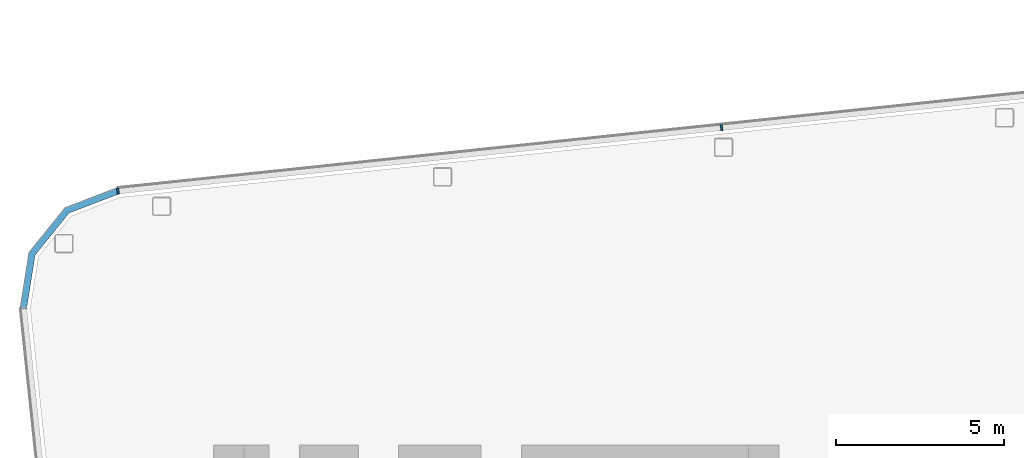
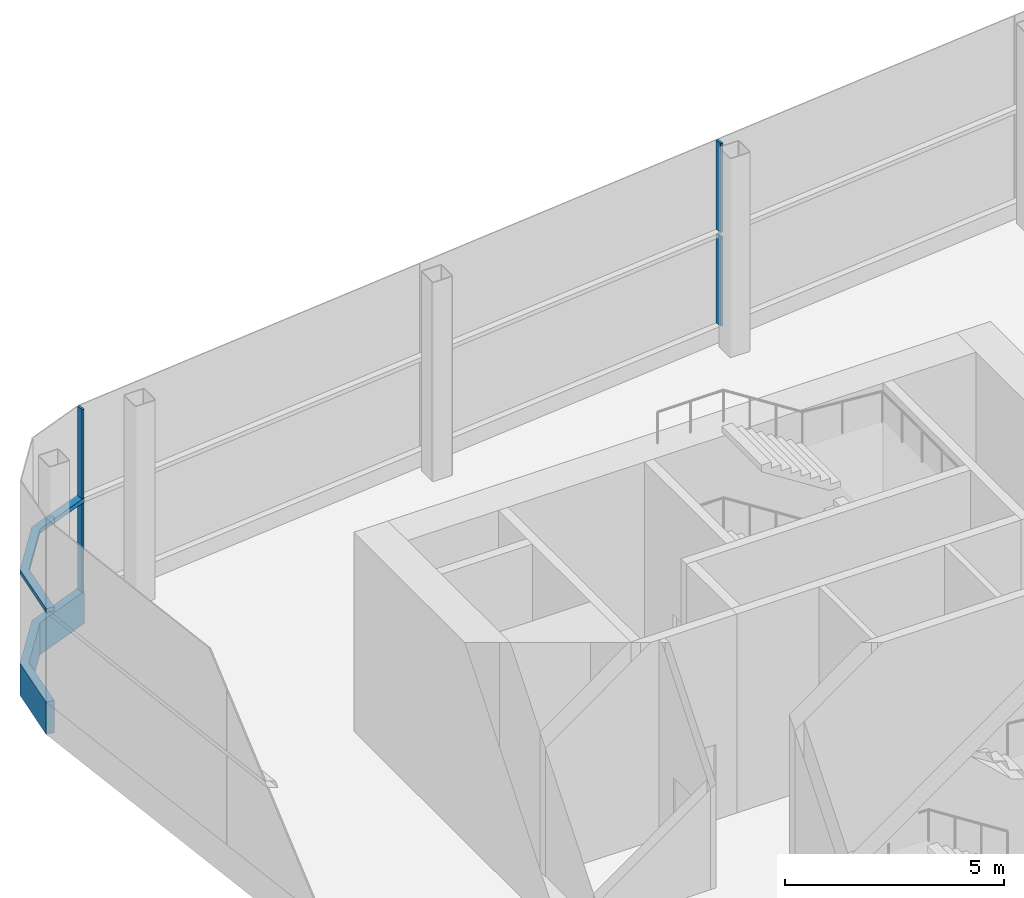
# One storey, part 8 of 35: 6 members, 2 elements without a shape of their own.
"""IFC4 building model written with IfcOpenShell, lengths in metres."""

import ifcopenshell
import ifcopenshell.guid

model = None  # the IFC model being written
_history = None  # IfcOwnerHistory: only IFC2X3 demands one
_inside = {}  # id of a spatial element -> (the spatial element, [elements in it])
_under = {}  # id of a project, library or spatial element -> (it, [spatial elements below it])
_declared = {}  # id of a project -> (the project, [libraries it declares])
_typed = {}  # id of a type object -> (the type object, [elements of that type])
_made_of = {}  # id of a material, layer set ... -> (it, [elements and type objects made of it])


def new_model(schema):
    """Start an empty IFC model of exactly this schema.

    Asked for "IFC4X3", IfcOpenShell would pick the latest addendum, in which some entities
    have other attributes; the version numbers below select the first issue.
    IFC2X3 requires an IfcOwnerHistory on every rooted entity: one is made here for all.
    """
    global model, _history
    if schema == "IFC4X3":
        model = ifcopenshell.file(schema_version=(4, 3, 0, 0))
    else:
        model = ifcopenshell.file(schema=schema)
    _inside.clear()
    _under.clear()
    _declared.clear()
    _typed.clear()
    _made_of.clear()
    _history = None
    if model.schema == "IFC2X3":
        org = make("IfcOrganization", Name="unknown")
        user = make(
            "IfcPersonAndOrganization",
            ThePerson=make("IfcPerson", FamilyName="unknown"),
            TheOrganization=org,
        )
        app = make(
            "IfcApplication",
            ApplicationDeveloper=org,
            Version="unknown",
            ApplicationFullName="unknown",
            ApplicationIdentifier="unknown",
        )
        _history = make(
            "IfcOwnerHistory",
            OwningUser=user,
            OwningApplication=app,
            ChangeAction="ADDED",
            CreationDate=0,
        )
    return model


def make(cls, **values):
    """One entity of the class cls with the attributes given. An attribute that is None is left unset."""
    return model.create_entity(
        cls, **{name: value for name, value in values.items() if value is not None}
    )


def rooted(cls, **values):
    """An entity with a GlobalId (a new one), such as an element, a storey or a relation."""
    return make(cls, GlobalId=ifcopenshell.guid.new(), OwnerHistory=_history, **values)


def si_unit(unit_type, name, prefix=None):
    """IfcSIUnit, for example si_unit("LENGTHUNIT", "METRE", prefix="MILLI")."""
    return make("IfcSIUnit", UnitType=unit_type, Prefix=prefix, Name=name)


def assignment(units):
    """IfcUnitAssignment: the units of a project."""
    return None if units is None else make("IfcUnitAssignment", Units=units)


def point(xyz):
    """IfcCartesianPoint."""
    return None if xyz is None else make("IfcCartesianPoint", Coordinates=xyz)


def direction(xyz):
    """IfcDirection."""
    return None if xyz is None else make("IfcDirection", DirectionRatios=xyz)


def frame(location, z_axis=None, x_axis=None):
    """IfcAxis2Placement3D, a coordinate frame: its origin and axes. An axis left out is left unset."""
    return make(
        "IfcAxis2Placement3D",
        Location=point(location),
        Axis=direction(z_axis),
        RefDirection=direction(x_axis),
    )


def frame_2d(location, x_axis=None):
    """IfcAxis2Placement2D, a coordinate frame in the plane: its origin and x axis."""
    return make(
        "IfcAxis2Placement2D", Location=point(location), RefDirection=direction(x_axis)
    )


def origin():
    """The frame at (0, 0, 0) with its axes left unset."""
    return frame((0.0, 0.0, 0.0))


def origin_2d():
    """The frame at (0, 0) in the plane with its x axis left unset."""
    return frame_2d((0.0, 0.0))


def place(relative_to, where):
    """IfcLocalPlacement: puts the frame where relative to a parent placement (None: the world)."""
    return make(
        "IfcLocalPlacement", PlacementRelTo=relative_to, RelativePlacement=where
    )


def context(
    kind, dimensions, precision=None, world=None, true_north=None, identifier=None
):
    """IfcGeometricRepresentationContext, for example the 3D "Model" context."""
    return make(
        "IfcGeometricRepresentationContext",
        ContextIdentifier=identifier,
        ContextType=kind,
        CoordinateSpaceDimension=dimensions,
        Precision=precision,
        WorldCoordinateSystem=world,
        TrueNorth=true_north,
    )


def subcontext(parent, identifier, kind, view, scale=None):
    """IfcGeometricRepresentationSubContext, for example "Body" below "Model"."""
    return make(
        "IfcGeometricRepresentationSubContext",
        ContextIdentifier=identifier,
        ContextType=kind,
        ParentContext=parent,
        TargetScale=scale,
        TargetView=view,
    )


def project(units=None, contexts=None):
    """IfcProject with its units and contexts."""
    return rooted(
        "IfcProject",
        Name="project",
        RepresentationContexts=contexts,
        UnitsInContext=assignment(units),
    )


def spatial(cls, under=None, at=None, **own):
    """A site, building, storey or space (cls), placed at a placement, below another one or the project."""
    s = rooted(cls, ObjectPlacement=at, **own)
    if under is not None:
        _under.setdefault(under.id(), (under, []))[1].append(s)
    return s


def polyline(points):
    """IfcPolyline through the points."""
    return make("IfcPolyline", Points=[point(p) for p in points])


def profile(cls, at=None, kind="AREA", **sizes):
    """A parametric profile (cls). Its sizes go by their IFC names, for example OverallWidth=200.0."""
    return make(cls, ProfileType=kind, Position=at, **sizes)


def rectangle(**sizes):
    """IfcRectangleProfileDef."""
    return profile("IfcRectangleProfileDef", **sizes)


def outline(outer, holes=None, kind="AREA"):
    """IfcArbitraryClosedProfileDef: a profile drawn as a closed curve; with holes, ...WithVoids."""
    if holes is None:
        return make("IfcArbitraryClosedProfileDef", ProfileType=kind, OuterCurve=outer)
    return make(
        "IfcArbitraryProfileDefWithVoids",
        ProfileType=kind,
        OuterCurve=outer,
        InnerCurves=holes,
    )


def extrude(swept, where, along, depth):
    """IfcExtrudedAreaSolid: the profile swept, set in the frame where, extruded along a direction by depth."""
    return make(
        "IfcExtrudedAreaSolid",
        SweptArea=swept,
        Position=where,
        ExtrudedDirection=direction(along),
        Depth=depth,
    )


def shape(context_of_items, identifier, shape_type, items):
    """IfcShapeRepresentation: the items that make up one representation, for example the "Body"."""
    return make(
        "IfcShapeRepresentation",
        ContextOfItems=context_of_items,
        RepresentationIdentifier=identifier,
        RepresentationType=shape_type,
        Items=items,
    )


def material(Name=None, Category=None):
    """IfcMaterial."""
    return make("IfcMaterial", Name=Name, Category=Category)


def layer(
    of_material, thickness, ventilated=None, Name=None, Category=None, Priority=None
):
    """IfcMaterialLayer: one layer of a wall or slab, of a material (None: an air gap)."""
    return make(
        "IfcMaterialLayer",
        Material=of_material,
        LayerThickness=thickness,
        IsVentilated=ventilated,
        Name=Name,
        Category=Category,
        Priority=Priority,
    )


def layer_set(layers, Name=None):
    """IfcMaterialLayerSet."""
    return make("IfcMaterialLayerSet", MaterialLayers=layers, LayerSetName=Name)


def material_profile(
    of_material, cross_section, Name=None, Category=None, Priority=None
):
    """IfcMaterialProfile: a cross section and its material."""
    return make(
        "IfcMaterialProfile",
        Name=Name,
        Material=of_material,
        Profile=cross_section,
        Priority=Priority,
        Category=Category,
    )


def profile_set(profiles, Name=None, composite=None):
    """IfcMaterialProfileSet."""
    return make(
        "IfcMaterialProfileSet",
        Name=Name,
        MaterialProfiles=profiles,
        CompositeProfile=composite,
    )


def made_of(thing, what):
    """Note that an element or type object is made of a material, layer set ...; save() writes the relation."""
    if what is not None:
        _made_of.setdefault(what.id(), (what, []))[1].append(thing)
    return thing


def type_object(cls, material=None, **own):
    """A type object (cls), such as IfcWallType, which elements share."""
    return made_of(rooted(cls, **own), material)


def element(
    cls,
    number,
    at=None,
    inside=None,
    cuts=None,
    type_object=None,
    material=None,
    context=None,
    identifier="Body",
    shape_type=None,
    held_by="IfcProductDefinitionShape",
    body=None,
    shapes=None,
    **own,
):
    """One element of the class cls, such as IfcWall. Its Tag is "e" and its number.

    at: its placement. inside: the storey or other place that contains it. cuts: it is an
    opening in that element (IfcRelVoidsElement). A single representation is given by context,
    identifier, shape_type and body (its items); several are given by shapes. held_by: the class
    of the entity that holds the representations. save() writes the other relations.
    """
    e = rooted(cls, Tag="e%d" % number, ObjectPlacement=at, **own)
    if body is not None:
        shapes = [shape(context, identifier, shape_type, body)]
    if shapes is not None:
        e.Representation = make(held_by, Representations=shapes)
    if inside is not None:
        _inside.setdefault(inside.id(), (inside, []))[1].append(e)
    if cuts is not None:
        rooted(
            "IfcRelVoidsElement", RelatingBuildingElement=cuts, RelatedOpeningElement=e
        )
    if type_object is not None:
        _typed.setdefault(type_object.id(), (type_object, []))[1].append(e)
    return made_of(e, material)


def aggregate(whole, parts):
    """IfcRelAggregates: a whole, such as a stair, and the parts it consists of."""
    return rooted("IfcRelAggregates", RelatingObject=whole, RelatedObjects=parts)


def save(model, path):
    """Write the relations noted so far, then the file.

    IfcRelAggregates (storeys below a building ...), IfcRelContainedInSpatialStructure (elements
    in a storey), IfcRelDefinesByType, IfcRelAssociatesMaterial and IfcRelDeclares: one each for
    every whole, place, type object, material and project.
    """
    for whole, parts in _under.values():
        aggregate(whole, parts)
    for where, things in _inside.values():
        rooted(
            "IfcRelContainedInSpatialStructure",
            RelatedElements=things,
            RelatingStructure=where,
        )
    for kind, things in _typed.values():
        rooted("IfcRelDefinesByType", RelatedObjects=things, RelatingType=kind)
    for what, things in _made_of.values():
        rooted("IfcRelAssociatesMaterial", RelatedObjects=things, RelatingMaterial=what)
    for by, libraries in _declared.values():
        rooted("IfcRelDeclares", RelatingContext=by, RelatedDefinitions=libraries)
    model.write(path)


model = new_model("IFC4")

# Units and contexts
model_context = context("Model", 3, precision=1e-05, world=origin(), true_north=direction((0.0, 1.0)))
body_context = subcontext(model_context, "Body", "Model", "MODEL_VIEW")
ifc_project = project(units=[si_unit("LENGTHUNIT", "METRE"), si_unit("AREAUNIT", "SQUARE_METRE"), si_unit("VOLUMEUNIT", "CUBIC_METRE"), si_unit("PLANEANGLEUNIT", "RADIAN"), si_unit("MASSUNIT", "GRAM", prefix="KILO")], contexts=[model_context])

# Site, building, storey
site_placement = place(None, origin())
site = spatial("IfcSite", under=ifc_project, at=site_placement, CompositionType="ELEMENT")
building_placement = place(site_placement, origin())
building = spatial("IfcBuilding", under=site, at=building_placement, Name="Hakoniwa Tower and Hamabe Station Hall", CompositionType="ELEMENT")
storey_placement = place(building_placement, frame((0.0, 0.0, 264.60009765625)))
storey = spatial("IfcBuildingStorey", under=building, at=storey_placement, Name="L75", CompositionType="ELEMENT", Elevation=264.60009765625)

# Curtain wall, members
ifc_material_1 = material(Name="Dark low-e laminated glass", Category="glass")
ifc_layer = layer(ifc_material_1, 0.199951171875)
ifc_layer_set = layer_set([ifc_layer], Name="CW-1 UNITISED GUEST")
curtain_wall_type = type_object("IfcCurtainWallType", Name="CW-1 UNITISED GUEST", PredefinedType="NOTDEFINED", material=ifc_layer_set)
curtain_wall_1_placement = place(storey_placement, origin())
curtain_wall_1 = element("IfcCurtainWall", 1, at=curtain_wall_1_placement, inside=storey, type_object=curtain_wall_type, Name="CW-1 curtain wall", PredefinedType="NOTDEFINED")
ifc_material_2 = material(Name="Aluminium 6063-T5 black anodised", Category="aluminium")
ifc_material_profile_1 = material_profile(ifc_material_2, rectangle(XDim=0.199951171875, YDim=0.1201171875, at=origin_2d()), Name="CW MID TRANSOM 120X200")
ifc_profile_set_1 = profile_set([ifc_material_profile_1], Name="Aluminium 6063-T5 black anodised")
member_type_1 = type_object("IfcMemberType", Name="CW MID TRANSOM 120X200", PredefinedType="USERDEFINED", material=ifc_profile_set_1)
member_1_placement = place(storey_placement, frame((0.0, 0.0, 2.83984375)))
member_1 = element("IfcMember", 2, at=member_1_placement, type_object=member_type_1, Name="CW-1 transom", ObjectType="TRANSOM", PredefinedType="USERDEFINED", context=body_context, shape_type="SweptSolid", body=[
    extrude(outline(polyline([(-36.45703125, 16.0634765625), (-38.0185546875, 15.464111328125), (-39.09716796875, 14.13232421875), (-39.35888671875, 12.47998046875), (-39.161376953125, 12.44873046875), (-38.907958984375, 14.048095703125), (-37.89697265625, 15.296630859375), (-36.38525390625, 15.876708984375), (-36.45703125, 16.0634765625)])), origin(), (0.0, 0.0, 1.0), 0.1201171875),
])
ifc_material_3 = material(Name="Aluminium 6063-T5 black anodised", Category="aluminium")
ifc_material_profile_2 = material_profile(ifc_material_3, rectangle(XDim=0.199951171875, YDim=0.89990234375, at=origin_2d()), Name="CW SLAB-EDGE BAND 900X200")
ifc_profile_set_2 = profile_set([ifc_material_profile_2], Name="Aluminium 6063-T5 black anodised")
member_type_2 = type_object("IfcMemberType", Name="CW SLAB-EDGE BAND 900X200", PredefinedType="USERDEFINED", material=ifc_profile_set_2)
member_2_placement = place(storey_placement, frame((0.0, 0.0, -0.550048828125)))
member_2 = element("IfcMember", 3, at=member_2_placement, type_object=member_type_2, Name="CW-1 transom", ObjectType="TRANSOM", PredefinedType="USERDEFINED", context=body_context, shape_type="SweptSolid", body=[
    extrude(outline(polyline([(-36.45703125, 16.0634765625), (-38.0185546875, 15.464111328125), (-39.09716796875, 14.13232421875), (-39.35888671875, 12.47998046875), (-39.161376953125, 12.44873046875), (-38.907958984375, 14.048095703125), (-37.89697265625, 15.296630859375), (-36.38525390625, 15.876708984375), (-36.45703125, 16.0634765625)])), origin(), (0.0, 0.0, 1.0), 0.89990234375),
])
aggregate(curtain_wall_1, [member_2, member_1])

curtain_wall_2_placement = place(storey_placement, origin())
curtain_wall_2 = element("IfcCurtainWall", 4, at=curtain_wall_2_placement, inside=storey, type_object=curtain_wall_type, Name="CW-1 curtain wall", PredefinedType="NOTDEFINED")
ifc_material_4 = material(Name="Aluminium 6063-T5 black anodised", Category="aluminium")
ifc_material_profile_3 = material_profile(ifc_material_4, rectangle(XDim=0.06005859375, YDim=0.179931640625, at=origin_2d()), Name="CW-1 MULLION 60X180")
ifc_profile_set_3 = profile_set([ifc_material_profile_3], Name="Aluminium 6063-T5 black anodised")
member_type_3 = type_object("IfcMemberType", Name="CW-1 MULLION 60X180", PredefinedType="MULLION", material=ifc_profile_set_3)
member_3_placement = place(storey_placement, frame((-18.50390625, 17.831787109375, 0.349853515625), z_axis=(0.0, 0.0, 1.0), x_axis=(-0.994521895272, -0.104528464188, 0.0)))
member_3 = element("IfcMember", 5, at=member_3_placement, type_object=member_type_3, Name="CW-1 mullion", PredefinedType="MULLION", context=body_context, shape_type="SweptSolid", body=[
    extrude(rectangle(XDim=0.06005859375, YDim=0.179931640625, at=origin_2d()), origin(), (0.0, 0.0, 1.0), 2.489990234375),
])
member_4_placement = place(storey_placement, frame((-18.50390625, 17.831787109375, 2.9599609375), z_axis=(0.0, 0.0, 1.0), x_axis=(-0.994521895272, -0.104528464188, 0.0)))
member_4 = element("IfcMember", 6, at=member_4_placement, type_object=member_type_3, Name="CW-1 mullion", PredefinedType="MULLION", context=body_context, shape_type="SweptSolid", body=[
    extrude(rectangle(XDim=0.06005859375, YDim=0.179931640625, at=origin_2d()), origin(), (0.0, 0.0, 1.0), 2.489990234375),
])
member_5_placement = place(storey_placement, frame((-36.444580078125, 15.946044921875, 0.349853515625), z_axis=(0.0, 0.0, 1.0), x_axis=(-0.994521895272, -0.104528464188, 0.0)))
member_5 = element("IfcMember", 7, at=member_5_placement, type_object=member_type_3, Name="CW-1 mullion", PredefinedType="MULLION", context=body_context, shape_type="SweptSolid", body=[
    extrude(rectangle(XDim=0.06005859375, YDim=0.179931640625, at=origin_2d()), origin(), (0.0, 0.0, 1.0), 2.489990234375),
])
member_6_placement = place(storey_placement, frame((-36.444580078125, 15.946044921875, 2.9599609375), z_axis=(0.0, 0.0, 1.0), x_axis=(-0.994521895272, -0.104528464188, 0.0)))
member_6 = element("IfcMember", 8, at=member_6_placement, type_object=member_type_3, Name="CW-1 mullion", PredefinedType="MULLION", context=body_context, shape_type="SweptSolid", body=[
    extrude(rectangle(XDim=0.06005859375, YDim=0.179931640625, at=origin_2d()), origin(), (0.0, 0.0, 1.0), 2.489990234375),
])
aggregate(curtain_wall_2, [member_3, member_4, member_5, member_6])

save(model, "model.ifc")
